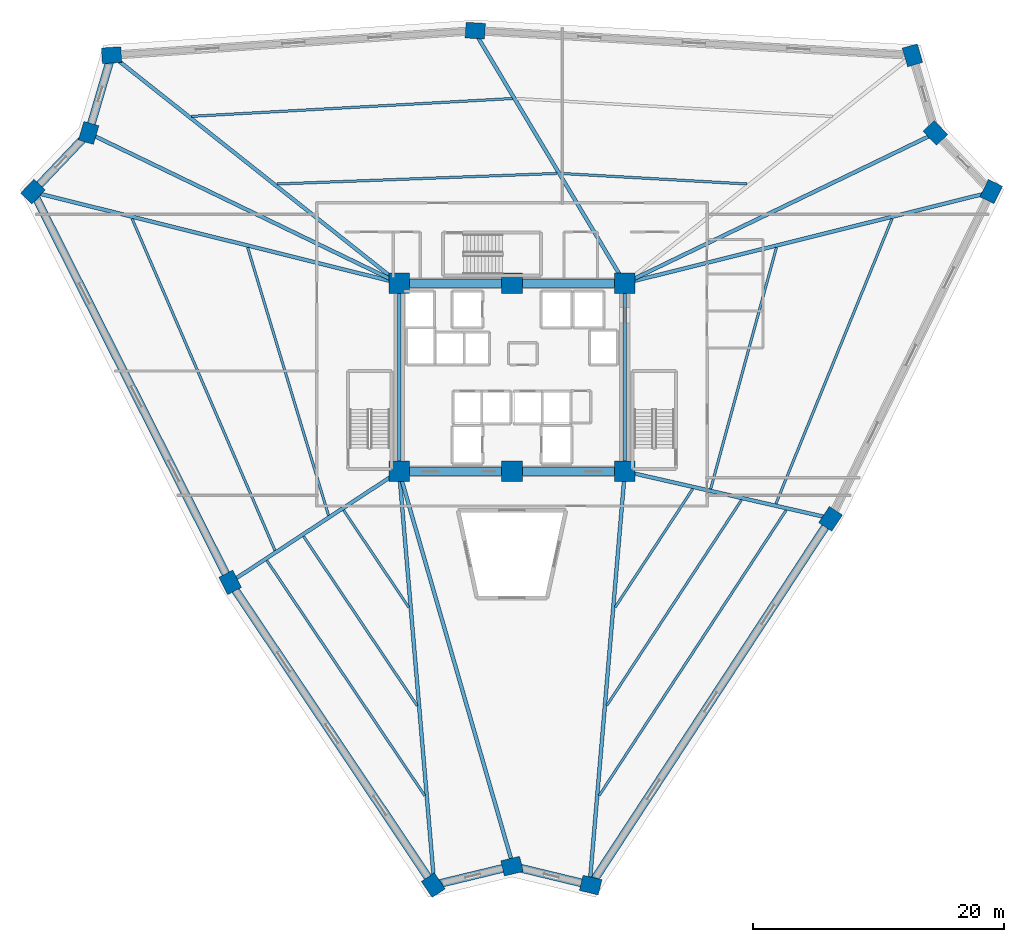
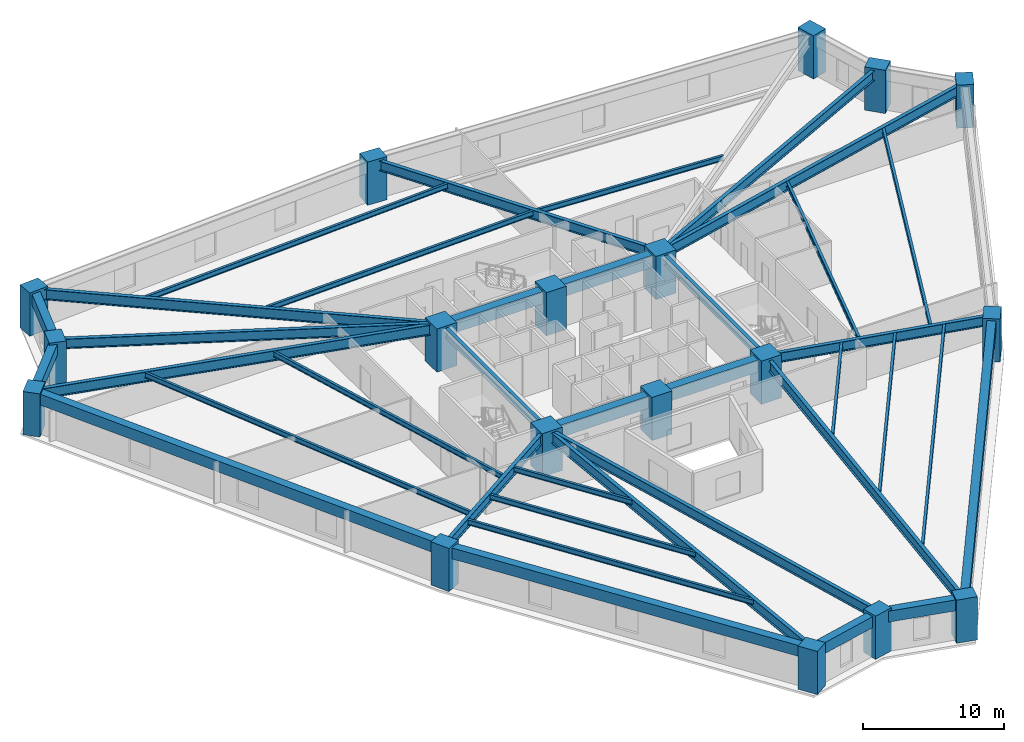
# One storey, part 1 of 8: 37 beams, 18 columns.
"""IFC4 building model written with IfcOpenShell, lengths in metres."""

from ifc_helpers import new_model, si_unit, direction, frame, origin, origin_2d, place, context, subcontext, project, spatial, rectangle, i_section, extrude, source, transform, mapped, material, material_profile, profile_set, type_object, element, save


model = new_model("IFC4")

# Units and contexts
model_context = context("Model", 3, precision=1e-05, world=origin(), true_north=direction((0.0, 1.0)))
body_context = subcontext(model_context, "Body", "Model", "MODEL_VIEW")
ifc_project = project(units=[si_unit("LENGTHUNIT", "METRE"), si_unit("AREAUNIT", "SQUARE_METRE"), si_unit("VOLUMEUNIT", "CUBIC_METRE"), si_unit("PLANEANGLEUNIT", "RADIAN"), si_unit("MASSUNIT", "GRAM", prefix="KILO")], contexts=[model_context])

# Site, building, storey
site_placement = place(None, origin())
site = spatial("IfcSite", under=ifc_project, at=site_placement, CompositionType="ELEMENT")
building_placement = place(site_placement, origin())
building = spatial("IfcBuilding", under=site, at=building_placement, Name="Liaohun Quay Tower", CompositionType="ELEMENT")
storey_placement = place(building_placement, frame((0.0, 0.0, 70.5)))
storey = spatial("IfcBuildingStorey", under=building, at=storey_placement, Name="L18", CompositionType="ELEMENT", Elevation=70.5)

# Columns
ifc_material_1 = material(Name="Concrete C60", Category="concrete")
ifc_material_profile_1 = material_profile(ifc_material_1, rectangle(XDim=1.64990234375, YDim=1.64990234375, at=origin_2d()), Name="RC1650x1650")
ifc_profile_set_1 = profile_set([ifc_material_profile_1], Name="Concrete C60")
column_type_1 = type_object("IfcColumnType", Name="COL-CC-Z1", PredefinedType="COLUMN", material=ifc_profile_set_1)
shared_shape_1 = source(origin(), body_context, "Body", "SweptSolid", [
    extrude(rectangle(XDim=1.64990234375, YDim=1.64990234375, at=origin_2d()), origin(), (0.0, 0.0, 1.0), 3.75),
])
for number, where, z_axis, x_axis, name in (
    (1, (51.0, 46.5, 0.0), (0.0, 0.0, 1.0), (1.0, 0.0, 0.0), "L18 Core Column CC1"),
    (2, (60.0, 46.5, 0.0), (0.0, 0.0, 1.0), (1.0, 0.0, 0.0), "L18 Core Column CC2"),
    (3, (69.0, 46.5, 0.0), (0.0, 0.0, 1.0), (1.0, 0.0, 0.0), "L18 Core Column CC3"),
    (4, (69.0, 61.5, 0.0), (0.0, 0.0, 1.0), (1.0, 0.0, 0.0), "L18 Core Column CC4"),
    (5, (60.0, 61.5, 0.0), (0.0, 0.0, 1.0), (1.0, 0.0, 0.0), "L18 Core Column CC5"),
    (6, (51.0, 61.5, 0.0), (0.0, 0.0, 1.0), (1.0, 0.0, 0.0), "L18 Core Column CC6"),
):
    element("IfcColumn", number, at=place(storey_placement, frame(where, z_axis=z_axis, x_axis=x_axis)), inside=storey, type_object=column_type_1, Name=name, PredefinedType="COLUMN", context=body_context, shape_type="MappedRepresentation", body=[
        mapped(shared_shape_1, transform((0.0, 0.0, 0.0), x_axis=(1.0, 0.0, 0.0), y_axis=(0.0, 1.0, 0.0), z_axis=(0.0, 0.0, 1.0), scale=1.0)),
    ])
ifc_material_profile_2 = material_profile(ifc_material_1, rectangle(XDim=1.550048828125, YDim=1.25, at=origin_2d()), Name="RC1550x1250")
ifc_profile_set_2 = profile_set([ifc_material_profile_2], Name="Concrete C60")
column_type_2 = type_object("IfcColumnType", Name="COL-PIER-Z1", PredefinedType="COLUMN", material=ifc_profile_set_2)
shared_shape_2 = source(origin(), body_context, "Body", "SweptSolid", [
    extrude(rectangle(XDim=1.550048828125, YDim=1.25, at=origin_2d()), origin(), (0.0, 0.0, 1.0), 3.75),
])
for number, where, z_axis, x_axis, name in (
    (7, (53.721923828125, 13.50390625, 0.0), (0.0, 0.0, 1.0), (-0.557165515219, 0.830401462336, 0.0), "L18 Perimeter Pier PC01"),
    (8, (37.527099609375, 37.64501953125, 0.0), (0.0, 0.0, 1.0), (-0.450565941999, 0.892743150022, 0.0), "L18 Perimeter Pier PC02"),
    (9, (21.7958984375, 68.81591796875, 0.0), (0.0, 0.0, 1.0), (0.689240273721, 0.724532846102, 0.0), "L18 Perimeter Pier PC03"),
    (10, (26.241943359375, 73.489990234375, 0.0), (0.0, 0.0, 1.0), (0.282676303383, 0.959215360337, 0.0), "L18 Perimeter Pier PC04"),
    (11, (28.068115234375, 79.68505859375, 0.0), (0.0, 0.0, 1.0), (0.997731519333, 0.067318759124, 0.0), "L18 Perimeter Pier PC05"),
    (12, (57.072998046875, 81.639892578125, 0.0), (0.0, 0.0, 1.0), (-0.998421217973, 0.05617002316, 0.0), "L18 Perimeter Pier PC06"),
    (13, (91.93408203125, 79.677978515625, 0.0), (0.0, 0.0, 1.0), (-0.282676303383, 0.959215360337, 0.0), "L18 Perimeter Pier PC07"),
    (14, (93.758056640625, 73.489990234375, 0.0), (0.0, 0.0, 1.0), (-0.689240273721, 0.724532846102, 0.0), "L18 Perimeter Pier PC08"),
    (15, (98.208984375, 68.81103515625, 0.0), (0.0, 0.0, 1.0), (0.440566004113, 0.897720221461, 0.0), "L18 Perimeter Pier PC09"),
    (16, (85.40087890625, 42.716064453125, 0.0), (0.0, 0.0, 1.0), (0.547855275974, 0.836573126862, 0.0), "L18 Perimeter Pier PC10"),
    (17, (66.27099609375, 13.506103515625, 0.0), (0.0, 0.0, 1.0), (-0.972043021443, 0.234802820391, 0.0), "L18 Perimeter Pier PC11"),
    (18, (60.0, 15.02001953125, 0.0), (0.0, 0.0, 1.0), (0.972043021443, 0.234802820391, 0.0), "L18 Perimeter Pier PC12"),
):
    element("IfcColumn", number, at=place(storey_placement, frame(where, z_axis=z_axis, x_axis=x_axis)), inside=storey, type_object=column_type_2, Name=name, PredefinedType="COLUMN", context=body_context, shape_type="MappedRepresentation", body=[
        mapped(shared_shape_2, transform((0.0, 0.0, 0.0), x_axis=(1.0, 0.0, 0.0), y_axis=(0.0, 1.0, 0.0), z_axis=(0.0, 0.0, 1.0), scale=1.0)),
    ])

# Beams
ifc_material_profile_3 = material_profile(ifc_material_1, rectangle(XDim=0.699951171875, YDim=1.050048828125, at=origin_2d()), Name="RC700x1050")
ifc_profile_set_3 = profile_set([ifc_material_profile_3], Name="Concrete C60")
beam_type_1 = type_object("IfcBeamType", Name="BM-CPL-1", PredefinedType="LINTEL", material=ifc_profile_set_3)
shared_shape_3 = source(origin(), body_context, "Body", "SweptSolid", [
    extrude(rectangle(XDim=0.699951171875, YDim=1.050048828125, at=origin_2d()), origin(), (0.0, 0.0, 1.0), 9.0),
])
for number, where, z_axis, x_axis, name in (
    (19, (51.0, 46.5, 3.044921875), (1.0, 0.0, 0.0), (0.0, 1.0, 0.0), "L18 Core Coupling/Ring Beam CC1-CC2"),
    (20, (60.0, 46.5, 3.044921875), (1.0, 0.0, 0.0), (0.0, 1.0, 0.0), "L18 Core Coupling/Ring Beam CC2-CC3"),
    (21, (69.0, 61.5, 3.044921875), (-1.0, 0.0, 0.0), (0.0, -1.0, 0.0), "L18 Core Coupling/Ring Beam CC4-CC5"),
    (22, (60.0, 61.5, 3.044921875), (-1.0, 0.0, 0.0), (0.0, -1.0, 0.0), "L18 Core Coupling/Ring Beam CC5-CC6"),
):
    element("IfcBeam", number, at=place(storey_placement, frame(where, z_axis=z_axis, x_axis=x_axis)), inside=storey, type_object=beam_type_1, Name=name, PredefinedType="LINTEL", context=body_context, shape_type="MappedRepresentation", body=[
        mapped(shared_shape_3, transform((0.0, 0.0, 0.0), x_axis=(1.0, 0.0, 0.0), y_axis=(0.0, 1.0, 0.0), z_axis=(0.0, 0.0, 1.0), scale=1.0)),
    ])
ifc_material_2 = material(Name="Steel Q355D", Category="steel")
ifc_material_profile_4 = material_profile(ifc_material_2, i_section(OverallWidth=0.300048828125, OverallDepth=0.800048828125, WebThickness=0.013916015625, FlangeThickness=0.02587890625, at=origin_2d()), Name="HN800x300x14x26")
ifc_profile_set_4 = profile_set([ifc_material_profile_4], Name="Steel Q355D")
beam_type_2 = type_object("IfcBeamType", Name="BM-RAD-M1", PredefinedType="BEAM", material=ifc_profile_set_4)
shared_shape_4 = source(origin(), body_context, "Body", "SweptSolid", [
    extrude(i_section(OverallWidth=0.300048828125, OverallDepth=0.800048828125, WebThickness=0.013916015625, FlangeThickness=0.02587890625, at=origin_2d()), origin(), (0.0, 0.0, 1.0), 15.0),
])
for number, where, z_axis, x_axis, name in (
    (23, (69.0, 46.5, 3.169921875), (0.0, 1.0, 0.0), (-1.0, 0.0, 0.0), "L18 Core Coupling/Ring Beam CC3-CC4"),
    (24, (51.0, 61.5, 3.169921875), (0.0, -1.0, 0.0), (1.0, 0.0, 0.0), "L18 Core Coupling/Ring Beam CC6-CC1"),
):
    element("IfcBeam", number, at=place(storey_placement, frame(where, z_axis=z_axis, x_axis=x_axis)), inside=storey, type_object=beam_type_2, Name=name, PredefinedType="BEAM", context=body_context, shape_type="MappedRepresentation", body=[
        mapped(shared_shape_4, transform((0.0, 0.0, 0.0), x_axis=(1.0, 0.0, 0.0), y_axis=(0.0, 1.0, 0.0), z_axis=(0.0, 0.0, 1.0), scale=1.0)),
    ])
ifc_material_3 = material(Name="Precast concrete C55", Category="concrete")
ifc_material_profile_5 = material_profile(ifc_material_3, rectangle(XDim=0.64990234375, YDim=0.949951171875, at=origin_2d()), Name="RC650x950")
ifc_profile_set_5 = profile_set([ifc_material_profile_5], Name="Precast concrete C55")
beam_type_3 = type_object("IfcBeamType", Name="BM-SPD-Z1", PredefinedType="SPANDREL", material=ifc_profile_set_5)
shared_shape_5 = source(origin(), body_context, "Body", "SweptSolid", [
    extrude(rectangle(XDim=0.64990234375, YDim=0.949951171875, at=origin_2d()), origin(), (0.0, 0.0, 1.0), 29.070068359375),
])
beam_1_placement = place(storey_placement, frame((53.721923828125, 13.50390625, 3.094970703125), z_axis=(-0.557097238605, 0.830447269089, 0.0), x_axis=(-0.830447269089, -0.557097238605, 0.0)))
element("IfcBeam", 25, at=beam_1_placement, inside=storey, type_object=beam_type_3, Name="L18 Precast Spandrel Beam PC01-PC02", PredefinedType="SPANDREL", context=body_context, shape_type="MappedRepresentation", body=[
    mapped(shared_shape_5, transform((0.0, 0.0, 0.0), x_axis=(1.0, 0.0, 0.0), y_axis=(0.0, 1.0, 0.0), z_axis=(0.0, 0.0, 1.0), scale=1.0)),
])
shared_shape_6 = source(origin(), body_context, "Body", "SweptSolid", [
    extrude(rectangle(XDim=0.64990234375, YDim=0.949951171875, at=origin_2d()), origin(), (0.0, 0.0, 1.0), 34.91552734375),
])
beam_2_placement = place(storey_placement, frame((37.527099609375, 37.64501953125, 3.094970703125), z_axis=(-0.450550009349, 0.892751191024, 0.0), x_axis=(-0.892751191024, -0.450550009349, 0.0)))
element("IfcBeam", 26, at=beam_2_placement, inside=storey, type_object=beam_type_3, Name="L18 Precast Spandrel Beam PC02-PC03", PredefinedType="SPANDREL", context=body_context, shape_type="MappedRepresentation", body=[
    mapped(shared_shape_6, transform((0.0, 0.0, 0.0), x_axis=(1.0, 0.0, 0.0), y_axis=(0.0, 1.0, 0.0), z_axis=(0.0, 0.0, 1.0), scale=1.0)),
])
shared_shape_7 = source(origin(), body_context, "Body", "SweptSolid", [
    extrude(rectangle(XDim=0.64990234375, YDim=0.949951171875, at=origin_2d()), origin(), (0.0, 0.0, 1.0), 6.450927734375),
])
beam_3_placement = place(storey_placement, frame((21.7958984375, 68.81591796875, 3.094970703125), z_axis=(0.689211827604, 0.724559905523, 0.0), x_axis=(-0.724559905523, 0.689211827604, 0.0)))
element("IfcBeam", 27, at=beam_3_placement, inside=storey, type_object=beam_type_3, Name="L18 Precast Spandrel Beam PC03-PC04", PredefinedType="SPANDREL", context=body_context, shape_type="MappedRepresentation", body=[
    mapped(shared_shape_7, transform((0.0, 0.0, 0.0), x_axis=(1.0, 0.0, 0.0), y_axis=(0.0, 1.0, 0.0), z_axis=(0.0, 0.0, 1.0), scale=1.0)),
])
shared_shape_8 = source(origin(), body_context, "Body", "SweptSolid", [
    extrude(rectangle(XDim=0.64990234375, YDim=0.949951171875, at=origin_2d()), origin(), (0.0, 0.0, 1.0), 6.458740234375),
])
beam_4_placement = place(storey_placement, frame((26.241943359375, 73.489990234375, 3.094970703125), z_axis=(0.282749534854, 0.959193776325, 0.0), x_axis=(-0.959193776325, 0.282749534854, 0.0)))
element("IfcBeam", 28, at=beam_4_placement, inside=storey, type_object=beam_type_3, Name="L18 Precast Spandrel Beam PC04-PC05", PredefinedType="SPANDREL", context=body_context, shape_type="MappedRepresentation", body=[
    mapped(shared_shape_8, transform((0.0, 0.0, 0.0), x_axis=(1.0, 0.0, 0.0), y_axis=(0.0, 1.0, 0.0), z_axis=(0.0, 0.0, 1.0), scale=1.0)),
])
shared_shape_9 = source(origin(), body_context, "Body", "SweptSolid", [
    extrude(rectangle(XDim=0.64990234375, YDim=0.949951171875, at=origin_2d()), origin(), (0.0, 0.0, 1.0), 6.451171875),
])
beam_5_placement = place(storey_placement, frame((66.27099609375, 13.506103515625, 3.094970703125), z_axis=(-0.972074171359, 0.234673827634, 0.0), x_axis=(-0.234673827634, -0.972074171359, 0.0)))
element("IfcBeam", 29, at=beam_5_placement, inside=storey, type_object=beam_type_3, Name="L18 Precast Spandrel Beam PC11-PC12", PredefinedType="SPANDREL", context=body_context, shape_type="MappedRepresentation", body=[
    mapped(shared_shape_9, transform((0.0, 0.0, 0.0), x_axis=(1.0, 0.0, 0.0), y_axis=(0.0, 1.0, 0.0), z_axis=(0.0, 0.0, 1.0), scale=1.0)),
])
shared_shape_10 = source(origin(), body_context, "Body", "SweptSolid", [
    extrude(rectangle(XDim=0.64990234375, YDim=0.949951171875, at=origin_2d()), origin(), (0.0, 0.0, 1.0), 34.916748046875),
])
beam_6_placement = place(storey_placement, frame((85.40087890625, 42.716064453125, 3.094970703125), z_axis=(-0.547872398738, -0.83656191325, 0.0), x_axis=(0.83656191325, -0.547872398738, 0.0)))
element("IfcBeam", 30, at=beam_6_placement, inside=storey, type_object=beam_type_3, Name="L18 Precast Spandrel Beam PC10-PC11", PredefinedType="SPANDREL", context=body_context, shape_type="MappedRepresentation", body=[
    mapped(shared_shape_10, transform((0.0, 0.0, 0.0), x_axis=(1.0, 0.0, 0.0), y_axis=(0.0, 1.0, 0.0), z_axis=(0.0, 0.0, 1.0), scale=1.0)),
])
shared_shape_11 = source(origin(), body_context, "Body", "SweptSolid", [
    extrude(rectangle(XDim=0.64990234375, YDim=0.949951171875, at=origin_2d()), origin(), (0.0, 0.0, 1.0), 6.45849609375),
])
beam_7_placement = place(storey_placement, frame((60.0, 15.02001953125, 3.094970703125), z_axis=(-0.972056931371, -0.234745228225, 0.0), x_axis=(0.234745228225, -0.972056931371, 0.0)))
element("IfcBeam", 31, at=beam_7_placement, inside=storey, type_object=beam_type_3, Name="L18 Precast Spandrel Beam PC12-PC01", PredefinedType="SPANDREL", context=body_context, shape_type="MappedRepresentation", body=[
    mapped(shared_shape_11, transform((0.0, 0.0, 0.0), x_axis=(1.0, 0.0, 0.0), y_axis=(0.0, 1.0, 0.0), z_axis=(0.0, 0.0, 1.0), scale=1.0)),
])
ifc_material_4 = material(Name="Steel Q420D", Category="steel")
ifc_material_profile_6 = material_profile(ifc_material_4, i_section(OverallWidth=0.300048828125, OverallDepth=0.89990234375, WebThickness=0.01611328125, FlangeThickness=0.028076171875, at=origin_2d()), Name="HN900x300x16x28")
ifc_profile_set_6 = profile_set([ifc_material_profile_6], Name="Steel Q420D")
beam_type_4 = type_object("IfcBeamType", Name="BM-RAD-H1", PredefinedType="BEAM", material=ifc_profile_set_6)
shared_shape_12 = source(origin(), body_context, "Body", "SweptSolid", [
    extrude(i_section(OverallWidth=0.300048828125, OverallDepth=0.89990234375, WebThickness=0.01611328125, FlangeThickness=0.028076171875, at=origin_2d()), origin(), (0.0, 0.0, 1.0), 32.77392578125),
])
beam_8_placement = place(storey_placement, frame((51.0, 46.5, 3.1201171875), z_axis=(0.084735157387, -0.996403509178, 0.0), x_axis=(0.996403509178, 0.084735157387, 0.0)))
element("IfcBeam", 32, at=beam_8_placement, inside=storey, type_object=beam_type_4, Name="L18 Radial Primary Girder CC1-PC01", PredefinedType="BEAM", context=body_context, shape_type="MappedRepresentation", body=[
    mapped(shared_shape_12, transform((0.0, 0.0, 0.0), x_axis=(1.0, 0.0, 0.0), y_axis=(0.0, 1.0, 0.0), z_axis=(0.0, 0.0, 1.0), scale=1.0)),
])
ifc_material_profile_7 = material_profile(ifc_material_2, i_section(OverallWidth=0.300048828125, OverallDepth=0.85009765625, WebThickness=0.01611328125, FlangeThickness=0.028076171875, at=origin_2d()), Name="HN850x300x16x28")
ifc_profile_set_7 = profile_set([ifc_material_profile_7], Name="Steel Q355D")
beam_type_5 = type_object("IfcBeamType", Name="BM-RAD-H2", PredefinedType="BEAM", material=ifc_profile_set_7)
shared_shape_13 = source(origin(), body_context, "Body", "SweptSolid", [
    extrude(i_section(OverallWidth=0.300048828125, OverallDepth=0.85009765625, WebThickness=0.01611328125, FlangeThickness=0.028076171875, at=origin_2d()), origin(), (0.0, 0.0, 1.0), 15.8994140625),
])
beam_9_placement = place(storey_placement, frame((51.0, 46.5, 3.14501953125), z_axis=(-0.836065519218, -0.54862960873, 0.0), x_axis=(0.54862960873, -0.836065519218, 0.0)))
element("IfcBeam", 33, at=beam_9_placement, inside=storey, type_object=beam_type_5, Name="L18 Radial Primary Girder CC1-PC02", PredefinedType="BEAM", context=body_context, shape_type="MappedRepresentation", body=[
    mapped(shared_shape_13, transform((0.0, 0.0, 0.0), x_axis=(1.0, 0.0, 0.0), y_axis=(0.0, 1.0, 0.0), z_axis=(0.0, 0.0, 1.0), scale=1.0)),
])
shared_shape_14 = source(origin(), body_context, "Body", "SweptSolid", [
    extrude(i_section(OverallWidth=0.300048828125, OverallDepth=0.89990234375, WebThickness=0.01611328125, FlangeThickness=0.028076171875, at=origin_2d()), origin(), (0.0, 0.0, 1.0), 29.764404296875),
])
beam_10_placement = place(storey_placement, frame((51.0, 61.5, 3.1201171875), z_axis=(-0.970358754461, 0.241668962923, 0.0), x_axis=(-0.241668962923, -0.970358754461, 0.0)))
element("IfcBeam", 34, at=beam_10_placement, inside=storey, type_object=beam_type_4, Name="L18 Radial Primary Girder CC6-PC03", PredefinedType="BEAM", context=body_context, shape_type="MappedRepresentation", body=[
    mapped(shared_shape_14, transform((0.0, 0.0, 0.0), x_axis=(1.0, 0.0, 0.0), y_axis=(0.0, 1.0, 0.0), z_axis=(0.0, 0.0, 1.0), scale=1.0)),
])
shared_shape_15 = source(origin(), body_context, "Body", "SweptSolid", [
    extrude(i_section(OverallWidth=0.300048828125, OverallDepth=0.85009765625, WebThickness=0.01611328125, FlangeThickness=0.028076171875, at=origin_2d()), origin(), (0.0, 0.0, 1.0), 27.181640625),
])
for number, where, z_axis, x_axis, name in (
    (35, (51.0, 61.5, 3.14501953125), (-0.900395517446, 0.435072306821, 0.0), (-0.435072306821, -0.900395517446, 0.0), "L18 Radial Primary Girder CC6-PC04"),
    (36, (69.0, 61.5, 3.14501953125), (0.900395517446, 0.435072306821, 0.0), (-0.435072306821, 0.900395517446, 0.0), "L18 Radial Primary Girder CC4-PC08"),
):
    element("IfcBeam", number, at=place(storey_placement, frame(where, z_axis=z_axis, x_axis=x_axis)), inside=storey, type_object=beam_type_5, Name=name, PredefinedType="BEAM", context=body_context, shape_type="MappedRepresentation", body=[
        mapped(shared_shape_15, transform((0.0, 0.0, 0.0), x_axis=(1.0, 0.0, 0.0), y_axis=(0.0, 1.0, 0.0), z_axis=(0.0, 0.0, 1.0), scale=1.0)),
    ])
shared_shape_16 = source(origin(), body_context, "Body", "SweptSolid", [
    extrude(i_section(OverallWidth=0.300048828125, OverallDepth=0.89990234375, WebThickness=0.01611328125, FlangeThickness=0.028076171875, at=origin_2d()), origin(), (0.0, 0.0, 1.0), 28.921875),
])
beam_11_placement = place(storey_placement, frame((51.0, 61.5, 3.1201171875), z_axis=(-0.783630733102, 0.621226910346, 0.0), x_axis=(-0.621226910346, -0.783630733102, 0.0)))
element("IfcBeam", 37, at=beam_11_placement, inside=storey, type_object=beam_type_4, Name="L18 Radial Primary Girder CC6-PC05", PredefinedType="BEAM", context=body_context, shape_type="MappedRepresentation", body=[
    mapped(shared_shape_16, transform((0.0, 0.0, 0.0), x_axis=(1.0, 0.0, 0.0), y_axis=(0.0, 1.0, 0.0), z_axis=(0.0, 0.0, 1.0), scale=1.0)),
])
shared_shape_17 = source(origin(), body_context, "Body", "SweptSolid", [
    extrude(i_section(OverallWidth=0.300048828125, OverallDepth=0.85009765625, WebThickness=0.01611328125, FlangeThickness=0.028076171875, at=origin_2d()), origin(), (0.0, 0.0, 1.0), 23.20361328125),
])
beam_12_placement = place(storey_placement, frame((69.0, 61.5, 3.14501953125), z_axis=(-0.512983241791, 0.858398621645, 0.0), x_axis=(-0.858398621645, -0.512983241791, 0.0)))
element("IfcBeam", 38, at=beam_12_placement, inside=storey, type_object=beam_type_5, Name="L18 Radial Primary Girder CC4-PC06", PredefinedType="BEAM", context=body_context, shape_type="MappedRepresentation", body=[
    mapped(shared_shape_17, transform((0.0, 0.0, 0.0), x_axis=(1.0, 0.0, 0.0), y_axis=(0.0, 1.0, 0.0), z_axis=(0.0, 0.0, 1.0), scale=1.0)),
])
shared_shape_18 = source(origin(), body_context, "Body", "SweptSolid", [
    extrude(i_section(OverallWidth=0.300048828125, OverallDepth=0.89990234375, WebThickness=0.01611328125, FlangeThickness=0.028076171875, at=origin_2d()), origin(), (0.0, 0.0, 1.0), 29.767822265625),
])
beam_13_placement = place(storey_placement, frame((69.0, 61.5, 3.1201171875), z_axis=(0.970408702908, 0.241468319495, 0.0), x_axis=(-0.241468319495, 0.970408702908, 0.0)))
element("IfcBeam", 39, at=beam_13_placement, inside=storey, type_object=beam_type_4, Name="L18 Radial Primary Girder CC4-PC09", PredefinedType="BEAM", context=body_context, shape_type="MappedRepresentation", body=[
    mapped(shared_shape_18, transform((0.0, 0.0, 0.0), x_axis=(1.0, 0.0, 0.0), y_axis=(0.0, 1.0, 0.0), z_axis=(0.0, 0.0, 1.0), scale=1.0)),
])
shared_shape_19 = source(origin(), body_context, "Body", "SweptSolid", [
    extrude(i_section(OverallWidth=0.300048828125, OverallDepth=0.85009765625, WebThickness=0.01611328125, FlangeThickness=0.028076171875, at=origin_2d()), origin(), (0.0, 0.0, 1.0), 16.612060546875),
])
beam_14_placement = place(storey_placement, frame((69.0, 46.5, 3.14501953125), z_axis=(0.974961199586, -0.222375041995, 0.0), x_axis=(0.222375041995, 0.974961199586, 0.0)))
element("IfcBeam", 40, at=beam_14_placement, inside=storey, type_object=beam_type_5, Name="L18 Radial Primary Girder CC3-PC10", PredefinedType="BEAM", context=body_context, shape_type="MappedRepresentation", body=[
    mapped(shared_shape_19, transform((0.0, 0.0, 0.0), x_axis=(1.0, 0.0, 0.0), y_axis=(0.0, 1.0, 0.0), z_axis=(0.0, 0.0, 1.0), scale=1.0)),
])
shared_shape_20 = source(origin(), body_context, "Body", "SweptSolid", [
    extrude(i_section(OverallWidth=0.300048828125, OverallDepth=0.89990234375, WebThickness=0.01611328125, FlangeThickness=0.028076171875, at=origin_2d()), origin(), (0.0, 0.0, 1.0), 32.7724609375),
])
beam_15_placement = place(storey_placement, frame((69.0, 46.5, 3.1201171875), z_axis=(-0.084947277094, -0.996385447563, 0.0), x_axis=(0.996385447563, -0.084947277094, 0.0)))
element("IfcBeam", 41, at=beam_15_placement, inside=storey, type_object=beam_type_4, Name="L18 Radial Primary Girder CC3-PC11", PredefinedType="BEAM", context=body_context, shape_type="MappedRepresentation", body=[
    mapped(shared_shape_20, transform((0.0, 0.0, 0.0), x_axis=(1.0, 0.0, 0.0), y_axis=(0.0, 1.0, 0.0), z_axis=(0.0, 0.0, 1.0), scale=1.0)),
])
shared_shape_21 = source(origin(), body_context, "Body", "SweptSolid", [
    extrude(i_section(OverallWidth=0.300048828125, OverallDepth=0.85009765625, WebThickness=0.01611328125, FlangeThickness=0.028076171875, at=origin_2d()), origin(), (0.0, 0.0, 1.0), 32.427001953125),
])
beam_16_placement = place(storey_placement, frame((51.0, 46.5, 3.14501953125), z_axis=(0.277545984105, -0.960712353781, 0.0), x_axis=(0.960712353781, 0.277545984105, 0.0)))
element("IfcBeam", 42, at=beam_16_placement, inside=storey, type_object=beam_type_5, Name="L18 Radial Primary Girder CC1-PC12", PredefinedType="BEAM", context=body_context, shape_type="MappedRepresentation", body=[
    mapped(shared_shape_21, transform((0.0, 0.0, 0.0), x_axis=(1.0, 0.0, 0.0), y_axis=(0.0, 1.0, 0.0), z_axis=(0.0, 0.0, 1.0), scale=1.0)),
])
ifc_material_profile_8 = material_profile(ifc_material_2, i_section(OverallWidth=0.199951171875, OverallDepth=0.449951171875, WebThickness=0.009033203125, FlangeThickness=0.013916015625, at=origin_2d()), Name="HN450x200x9x14")
ifc_profile_set_8 = profile_set([ifc_material_profile_8], Name="Steel Q355D")
beam_type_6 = type_object("IfcBeamType", Name="BM-SEC-J1", PredefinedType="JOIST", material=ifc_profile_set_8)
shared_shape_22 = source(origin(), body_context, "Body", "SweptSolid", [
    extrude(i_section(OverallWidth=0.199951171875, OverallDepth=0.449951171875, WebThickness=0.009033203125, FlangeThickness=0.013916015625, at=origin_2d()), origin(), (0.0, 0.0, 1.0), 9.34228515625),
])
beam_17_placement = place(storey_placement, frame((51.77197265625, 35.654052734375, 3.344970703125), z_axis=(-0.557471241996, 0.830196250502, 0.0), x_axis=(-0.830196250502, -0.557471241996, 0.0)))
element("IfcBeam", 43, at=beam_17_placement, inside=storey, type_object=beam_type_6, Name="L18 Wing Secondary Floor Joist SJ-01", PredefinedType="JOIST", context=body_context, shape_type="MappedRepresentation", body=[
    mapped(shared_shape_22, transform((0.0, 0.0, 0.0), x_axis=(1.0, 0.0, 0.0), y_axis=(0.0, 1.0, 0.0), z_axis=(0.0, 0.0, 1.0), scale=1.0)),
])
shared_shape_23 = source(origin(), body_context, "Body", "SweptSolid", [
    extrude(i_section(OverallWidth=0.199951171875, OverallDepth=0.449951171875, WebThickness=0.009033203125, FlangeThickness=0.013916015625, at=origin_2d()), origin(), (0.0, 0.0, 1.0), 16.260498046875),
])
beam_18_placement = place(storey_placement, frame((52.43798828125, 27.81591796875, 3.344970703125), z_axis=(-0.557420586454, 0.830230263118, 0.0), x_axis=(-0.830230263118, -0.557420586454, 0.0)))
element("IfcBeam", 44, at=beam_18_placement, inside=storey, type_object=beam_type_6, Name="L18 Wing Secondary Floor Joist SJ-02", PredefinedType="JOIST", context=body_context, shape_type="MappedRepresentation", body=[
    mapped(shared_shape_23, transform((0.0, 0.0, 0.0), x_axis=(1.0, 0.0, 0.0), y_axis=(0.0, 1.0, 0.0), z_axis=(0.0, 0.0, 1.0), scale=1.0)),
])
shared_shape_24 = source(origin(), body_context, "Body", "SweptSolid", [
    extrude(i_section(OverallWidth=0.199951171875, OverallDepth=0.449951171875, WebThickness=0.009033203125, FlangeThickness=0.013916015625, at=origin_2d()), origin(), (0.0, 0.0, 1.0), 22.602783203125),
])
beam_19_placement = place(storey_placement, frame((53.049072265625, 20.632080078125, 3.344970703125), z_axis=(-0.557458968959, 0.830204491633, 0.0), x_axis=(-0.830204491633, -0.557458968959, 0.0)))
element("IfcBeam", 45, at=beam_19_placement, inside=storey, type_object=beam_type_6, Name="L18 Wing Secondary Floor Joist SJ-03", PredefinedType="JOIST", context=body_context, shape_type="MappedRepresentation", body=[
    mapped(shared_shape_24, transform((0.0, 0.0, 0.0), x_axis=(1.0, 0.0, 0.0), y_axis=(0.0, 1.0, 0.0), z_axis=(0.0, 0.0, 1.0), scale=1.0)),
])
shared_shape_25 = source(origin(), body_context, "Body", "SweptSolid", [
    extrude(i_section(OverallWidth=0.199951171875, OverallDepth=0.449951171875, WebThickness=0.009033203125, FlangeThickness=0.013916015625, at=origin_2d()), origin(), (0.0, 0.0, 1.0), 22.32080078125),
])
beam_20_placement = place(storey_placement, frame((45.3720703125, 42.986083984375, 3.344970703125), z_axis=(-0.289064358546, 0.957309666001, 0.0), x_axis=(-0.957309666001, -0.289064358546, 0.0)))
element("IfcBeam", 46, at=beam_20_placement, inside=storey, type_object=beam_type_6, Name="L18 Wing Secondary Floor Joist SJ-04", PredefinedType="JOIST", context=body_context, shape_type="MappedRepresentation", body=[
    mapped(shared_shape_25, transform((0.0, 0.0, 0.0), x_axis=(1.0, 0.0, 0.0), y_axis=(0.0, 1.0, 0.0), z_axis=(0.0, 0.0, 1.0), scale=1.0)),
])
shared_shape_26 = source(origin(), body_context, "Body", "SweptSolid", [
    extrude(i_section(OverallWidth=0.199951171875, OverallDepth=0.449951171875, WebThickness=0.009033203125, FlangeThickness=0.013916015625, at=origin_2d()), origin(), (0.0, 0.0, 1.0), 28.816162109375),
])
beam_21_placement = place(storey_placement, frame((41.10302734375, 40.18505859375, 3.344970703125), z_axis=(-0.395649732373, 0.918401485883, 0.0), x_axis=(-0.918401485883, -0.395649732373, 0.0)))
element("IfcBeam", 47, at=beam_21_placement, inside=storey, type_object=beam_type_6, Name="L18 Wing Secondary Floor Joist SJ-05", PredefinedType="JOIST", context=body_context, shape_type="MappedRepresentation", body=[
    mapped(shared_shape_26, transform((0.0, 0.0, 0.0), x_axis=(1.0, 0.0, 0.0), y_axis=(0.0, 1.0, 0.0), z_axis=(0.0, 0.0, 1.0), scale=1.0)),
])
shared_shape_27 = source(origin(), body_context, "Body", "SweptSolid", [
    extrude(i_section(OverallWidth=0.199951171875, OverallDepth=0.449951171875, WebThickness=0.009033203125, FlangeThickness=0.013916015625, at=origin_2d()), origin(), (0.0, 0.0, 1.0), 22.349853515625),
])
beam_22_placement = place(storey_placement, frame((41.258056640625, 69.4140625, 3.344970703125), z_axis=(0.999288381748, 0.037719094689, 0.0), x_axis=(-0.037719094689, 0.999288381748, 0.0)))
element("IfcBeam", 48, at=beam_22_placement, inside=storey, type_object=beam_type_6, Name="L18 Wing Secondary Floor Joist SJ-06", PredefinedType="JOIST", context=body_context, shape_type="MappedRepresentation", body=[
    mapped(shared_shape_27, transform((0.0, 0.0, 0.0), x_axis=(1.0, 0.0, 0.0), y_axis=(0.0, 1.0, 0.0), z_axis=(0.0, 0.0, 1.0), scale=1.0)),
])
shared_shape_28 = source(origin(), body_context, "Body", "SweptSolid", [
    extrude(i_section(OverallWidth=0.199951171875, OverallDepth=0.449951171875, WebThickness=0.009033203125, FlangeThickness=0.013916015625, at=origin_2d()), origin(), (0.0, 0.0, 1.0), 25.6083984375),
])
beam_23_placement = place(storey_placement, frame((34.4541015625, 74.80810546875, 3.344970703125), z_axis=(0.998457359659, 0.055523877233, 0.0), x_axis=(-0.055523877233, 0.998457359659, 0.0)))
element("IfcBeam", 49, at=beam_23_placement, inside=storey, type_object=beam_type_6, Name="L18 Wing Secondary Floor Joist SJ-07", PredefinedType="JOIST", context=body_context, shape_type="MappedRepresentation", body=[
    mapped(shared_shape_28, transform((0.0, 0.0, 0.0), x_axis=(1.0, 0.0, 0.0), y_axis=(0.0, 1.0, 0.0), z_axis=(0.0, 0.0, 1.0), scale=1.0)),
])
shared_shape_29 = source(origin(), body_context, "Body", "SweptSolid", [
    extrude(i_section(OverallWidth=0.199951171875, OverallDepth=0.449951171875, WebThickness=0.009033203125, FlangeThickness=0.013916015625, at=origin_2d()), origin(), (0.0, 0.0, 1.0), 14.82763671875),
])
beam_24_placement = place(storey_placement, frame((63.944091796875, 70.25390625, 3.344970703125), z_axis=(0.998398390742, -0.056574317176, 0.0), x_axis=(0.056574317176, 0.998398390742, 0.0)))
element("IfcBeam", 50, at=beam_24_placement, inside=storey, type_object=beam_type_6, Name="L18 Wing Secondary Floor Joist SJ-08", PredefinedType="JOIST", context=body_context, shape_type="MappedRepresentation", body=[
    mapped(shared_shape_29, transform((0.0, 0.0, 0.0), x_axis=(1.0, 0.0, 0.0), y_axis=(0.0, 1.0, 0.0), z_axis=(0.0, 0.0, 1.0), scale=1.0)),
])
shared_shape_30 = source(origin(), body_context, "Body", "SweptSolid", [
    extrude(i_section(OverallWidth=0.199951171875, OverallDepth=0.449951171875, WebThickness=0.009033203125, FlangeThickness=0.013916015625, at=origin_2d()), origin(), (0.0, 0.0, 1.0), 19.96142578125),
])
beam_25_placement = place(storey_placement, frame((81.0869140625, 64.35302734375, 3.344970703125), z_axis=(-0.262751031844, -0.964863666673, 0.0), x_axis=(0.964863666673, -0.262751031844, 0.0)))
element("IfcBeam", 51, at=beam_25_placement, inside=storey, type_object=beam_type_6, Name="L18 Wing Secondary Floor Joist SJ-10", PredefinedType="JOIST", context=body_context, shape_type="MappedRepresentation", body=[
    mapped(shared_shape_30, transform((0.0, 0.0, 0.0), x_axis=(1.0, 0.0, 0.0), y_axis=(0.0, 1.0, 0.0), z_axis=(0.0, 0.0, 1.0), scale=1.0)),
])
shared_shape_31 = source(origin(), body_context, "Body", "SweptSolid", [
    extrude(i_section(OverallWidth=0.199951171875, OverallDepth=0.449951171875, WebThickness=0.009033203125, FlangeThickness=0.013916015625, at=origin_2d()), origin(), (0.0, 0.0, 1.0), 24.5546875),
])
beam_26_placement = place(storey_placement, frame((90.305908203125, 66.64697265625, 3.344970703125), z_axis=(-0.37727856914, -0.926099822518, 0.0), x_axis=(0.926099822518, -0.37727856914, 0.0)))
element("IfcBeam", 52, at=beam_26_placement, inside=storey, type_object=beam_type_6, Name="L18 Wing Secondary Floor Joist SJ-11", PredefinedType="JOIST", context=body_context, shape_type="MappedRepresentation", body=[
    mapped(shared_shape_31, transform((0.0, 0.0, 0.0), x_axis=(1.0, 0.0, 0.0), y_axis=(0.0, 1.0, 0.0), z_axis=(0.0, 0.0, 1.0), scale=1.0)),
])
shared_shape_32 = source(origin(), body_context, "Body", "SweptSolid", [
    extrude(i_section(OverallWidth=0.199951171875, OverallDepth=0.449951171875, WebThickness=0.009033203125, FlangeThickness=0.013916015625, at=origin_2d()), origin(), (0.0, 0.0, 1.0), 11.296630859375),
])
beam_27_placement = place(storey_placement, frame((74.4189453125, 45.110107421875, 3.344970703125), z_axis=(-0.548199875481, -0.836347353988, 0.0), x_axis=(0.836347353988, -0.548199875481, 0.0)))
element("IfcBeam", 53, at=beam_27_placement, inside=storey, type_object=beam_type_6, Name="L18 Wing Secondary Floor Joist SJ-12", PredefinedType="JOIST", context=body_context, shape_type="MappedRepresentation", body=[
    mapped(shared_shape_32, transform((0.0, 0.0, 0.0), x_axis=(1.0, 0.0, 0.0), y_axis=(0.0, 1.0, 0.0), z_axis=(0.0, 0.0, 1.0), scale=1.0)),
])
shared_shape_33 = source(origin(), body_context, "Body", "SweptSolid", [
    extrude(i_section(OverallWidth=0.199951171875, OverallDepth=0.449951171875, WebThickness=0.009033203125, FlangeThickness=0.013916015625, at=origin_2d()), origin(), (0.0, 0.0, 1.0), 19.607421875),
])
beam_28_placement = place(storey_placement, frame((78.305908203125, 44.22412109375, 3.344970703125), z_axis=(-0.548151822623, -0.836378849179, 0.0), x_axis=(0.836378849179, -0.548151822623, 0.0)))
element("IfcBeam", 54, at=beam_28_placement, inside=storey, type_object=beam_type_6, Name="L18 Wing Secondary Floor Joist SJ-13", PredefinedType="JOIST", context=body_context, shape_type="MappedRepresentation", body=[
    mapped(shared_shape_33, transform((0.0, 0.0, 0.0), x_axis=(1.0, 0.0, 0.0), y_axis=(0.0, 1.0, 0.0), z_axis=(0.0, 0.0, 1.0), scale=1.0)),
])
shared_shape_34 = source(origin(), body_context, "Body", "SweptSolid", [
    extrude(i_section(OverallWidth=0.199951171875, OverallDepth=0.449951171875, WebThickness=0.009033203125, FlangeThickness=0.013916015625, at=origin_2d()), origin(), (0.0, 0.0, 1.0), 27.22412109375),
])
beam_29_placement = place(storey_placement, frame((81.868896484375, 43.410888671875, 3.344970703125), z_axis=(-0.548147630153, -0.836381596855, 0.0), x_axis=(0.836381596855, -0.548147630153, 0.0)))
element("IfcBeam", 55, at=beam_29_placement, inside=storey, type_object=beam_type_6, Name="L18 Wing Secondary Floor Joist SJ-14", PredefinedType="JOIST", context=body_context, shape_type="MappedRepresentation", body=[
    mapped(shared_shape_34, transform((0.0, 0.0, 0.0), x_axis=(1.0, 0.0, 0.0), y_axis=(0.0, 1.0, 0.0), z_axis=(0.0, 0.0, 1.0), scale=1.0)),
])

save(model, "model.ifc")
